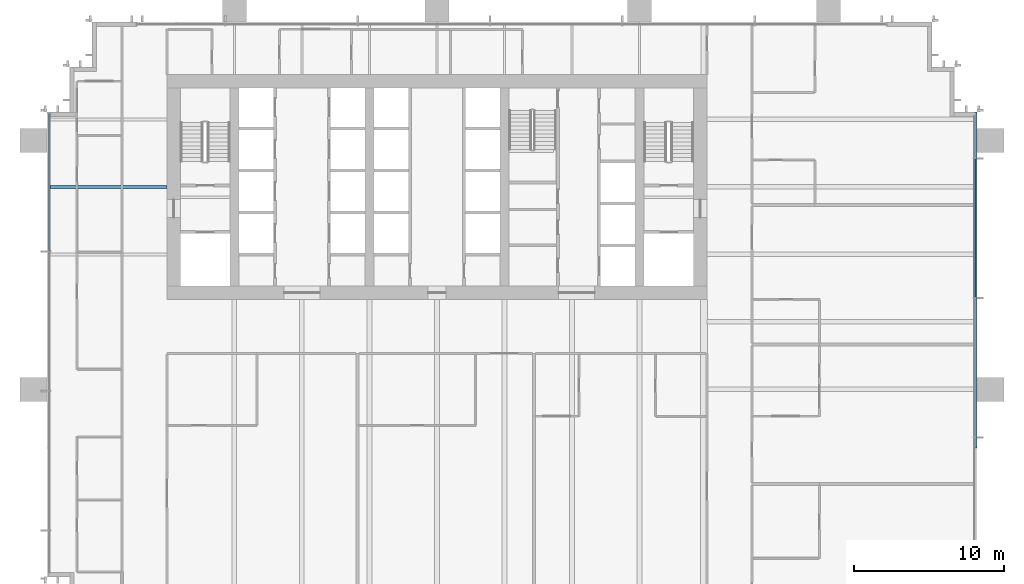
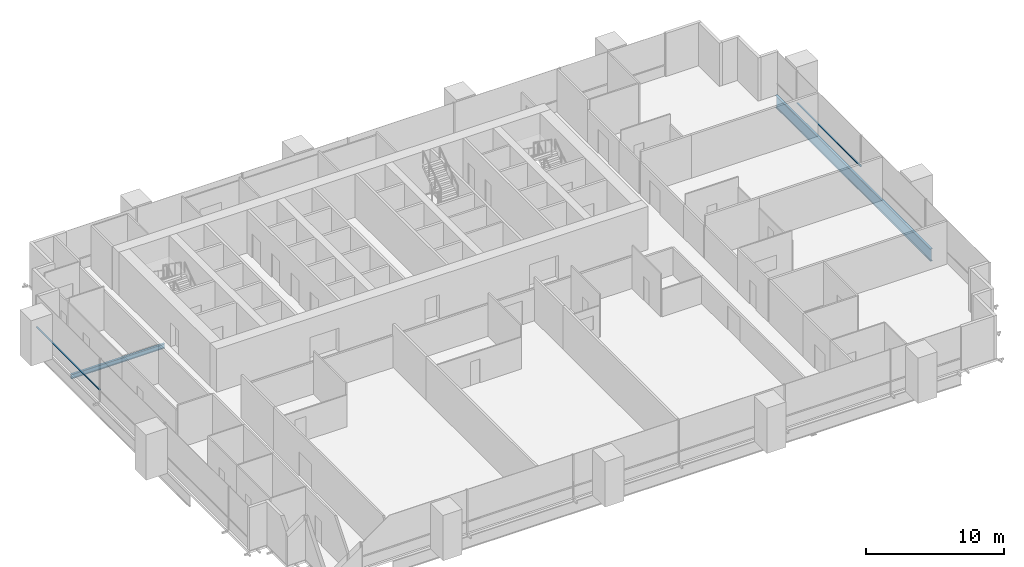
# One storey, part 7 of 17: 2 beams, 2 members, 2 elements without a shape of their own.
"""IFC4 building model written with IfcOpenShell, lengths in metres."""

from ifc_helpers import new_model, si_unit, direction, frame, origin, origin_2d, place, context, subcontext, project, spatial, rectangle, i_section, extrude, material, material_profile, profile_set, type_object, element, aggregate, save


model = new_model("IFC4")

# Units and contexts
model_context = context("Model", 3, precision=1e-05, world=origin(), true_north=direction((0.0, 1.0)))
body_context = subcontext(model_context, "Body", "Model", "MODEL_VIEW")
ifc_project = project(units=[si_unit("LENGTHUNIT", "METRE"), si_unit("AREAUNIT", "SQUARE_METRE"), si_unit("VOLUMEUNIT", "CUBIC_METRE"), si_unit("PLANEANGLEUNIT", "RADIAN"), si_unit("MASSUNIT", "GRAM", prefix="KILO")], contexts=[model_context])

# Site, building, storey
site_placement = place(None, origin())
site = spatial("IfcSite", under=ifc_project, at=site_placement, CompositionType="ELEMENT")
building_placement = place(site_placement, origin())
building = spatial("IfcBuilding", under=site, at=building_placement, Name="Rattan Terrace Tower", CompositionType="ELEMENT")
storey_placement = place(building_placement, frame((0.0, 0.0, 107.699951171875)))
storey = spatial("IfcBuildingStorey", under=building, at=storey_placement, Name="L24", CompositionType="ELEMENT", Elevation=107.699951171875)

# Curtain wall, member
ifc_material_1 = material(Name="Aluminium and glass", Category="aluminium")
curtain_wall_type = type_object("IfcCurtainWallType", Name="Facade Unitised Curtain Wall", PredefinedType="NOTDEFINED", material=ifc_material_1)
curtain_wall_1_placement = place(storey_placement, origin())
curtain_wall_1 = element("IfcCurtainWall", 1, at=curtain_wall_1_placement, inside=storey, type_object=curtain_wall_type, Name="Curtain wall L24-1", PredefinedType="NOTDEFINED")
ifc_material_2 = material(Name="Aluminium", Category="aluminium")
ifc_material_profile_1 = material_profile(ifc_material_2, rectangle(XDim=0.1201171875, YDim=0.06005859375, at=origin_2d()), Name="Aluminium 120x60")
ifc_profile_set_1 = profile_set([ifc_material_profile_1], Name="Aluminium")
member_type = type_object("IfcMemberType", Name="Facade CW Transom 120x60", PredefinedType="USERDEFINED", material=ifc_profile_set_1)
member_1_placement = place(storey_placement, frame((35.830078125, -7.3701171875, 1.0), z_axis=(0.0, 1.0, 0.0), x_axis=(-1.0, 0.0, 0.0)))
member_1 = element("IfcMember", 2, at=member_1_placement, type_object=member_type, Name="Transom cwl-L24-001.3", ObjectType="TRANSOM", PredefinedType="USERDEFINED", context=body_context, shape_type="SweptSolid", body=[
    extrude(rectangle(XDim=0.1201171875, YDim=0.06005859375, at=origin_2d()), origin(), (0.0, 0.0, 1.0), 9.240234375),
])
aggregate(curtain_wall_1, [member_1])

curtain_wall_2_placement = place(storey_placement, origin())
curtain_wall_2 = element("IfcCurtainWall", 3, at=curtain_wall_2_placement, inside=storey, type_object=curtain_wall_type, Name="Curtain wall L24-3", PredefinedType="NOTDEFINED")
member_2_placement = place(storey_placement, frame((-25.830078125, 4.89501953125, 1.0), z_axis=(0.0, -1.0, 0.0), x_axis=(1.0, 0.0, 0.0)))
member_2 = element("IfcMember", 4, at=member_2_placement, type_object=member_type, Name="Transom cwl-L24-003.1", ObjectType="TRANSOM", PredefinedType="USERDEFINED", context=body_context, shape_type="SweptSolid", body=[
    extrude(rectangle(XDim=0.1201171875, YDim=0.06005859375, at=origin_2d()), origin(), (0.0, 0.0, 1.0), 9.1650390625),
])
aggregate(curtain_wall_2, [member_2])

# Beams
ifc_material_3 = material(Name="Steel S460", Category="steel")
ifc_material_profile_2 = material_profile(ifc_material_3, i_section(OverallWidth=0.179931640625, OverallDepth=1.10009765625, WebThickness=0.01611328125, FlangeThickness=0.050048828125, at=origin_2d()), Name="PG 1100x180-16-50")
ifc_profile_set_2 = profile_set([ifc_material_profile_2], Name="Steel S460")
beam_type_1 = type_object("IfcBeamType", Name="Frame edge girder PG 1100x180-16-50", PredefinedType="SPANDREL", material=ifc_profile_set_2)
beam_1_placement = place(storey_placement, frame((35.909912109375, 5.0, -0.75), z_axis=(0.0, -1.0, 0.0), x_axis=(1.0, 0.0, 0.0)))
element("IfcBeam", 5, at=beam_1_placement, inside=storey, type_object=beam_type_1, Name="gdr-L24-005", PredefinedType="SPANDREL", context=body_context, shape_type="SweptSolid", body=[
    extrude(i_section(OverallWidth=0.179931640625, OverallDepth=1.10009765625, WebThickness=0.01611328125, FlangeThickness=0.050048828125, at=origin_2d()), origin(), (0.0, 0.0, 1.0), 22.39990234375),
])
ifc_material_4 = material(Name="Steel S355", Category="steel")
ifc_material_profile_3 = material_profile(ifc_material_4, i_section(OverallWidth=0.179931640625, OverallDepth=0.39990234375, WebThickness=0.008544921875, FlangeThickness=0.013427734375, FilletRadius=0.02099609375, at=origin_2d()), Name="IPE 400")
ifc_profile_set_3 = profile_set([ifc_material_profile_3], Name="Steel S355")
beam_type_2 = type_object("IfcBeamType", Name="Frame floor beam IPE 400", PredefinedType="JOIST", material=ifc_profile_set_3)
beam_2_placement = place(storey_placement, frame((-25.820068359375, 0.0, -0.39990234375), z_axis=(1.0, 0.0, 0.0), x_axis=(0.0, 1.0, 0.0)))
element("IfcBeam", 6, at=beam_2_placement, inside=storey, type_object=beam_type_2, Name="bm-L24-014", PredefinedType="JOIST", context=body_context, shape_type="SweptSolid", body=[
    extrude(i_section(OverallWidth=0.179931640625, OverallDepth=0.39990234375, WebThickness=0.008544921875, FlangeThickness=0.013427734375, FilletRadius=0.02099609375, at=origin_2d()), origin(), (0.0, 0.0, 1.0), 7.820068359375),
])

save(model, "model.ifc")
